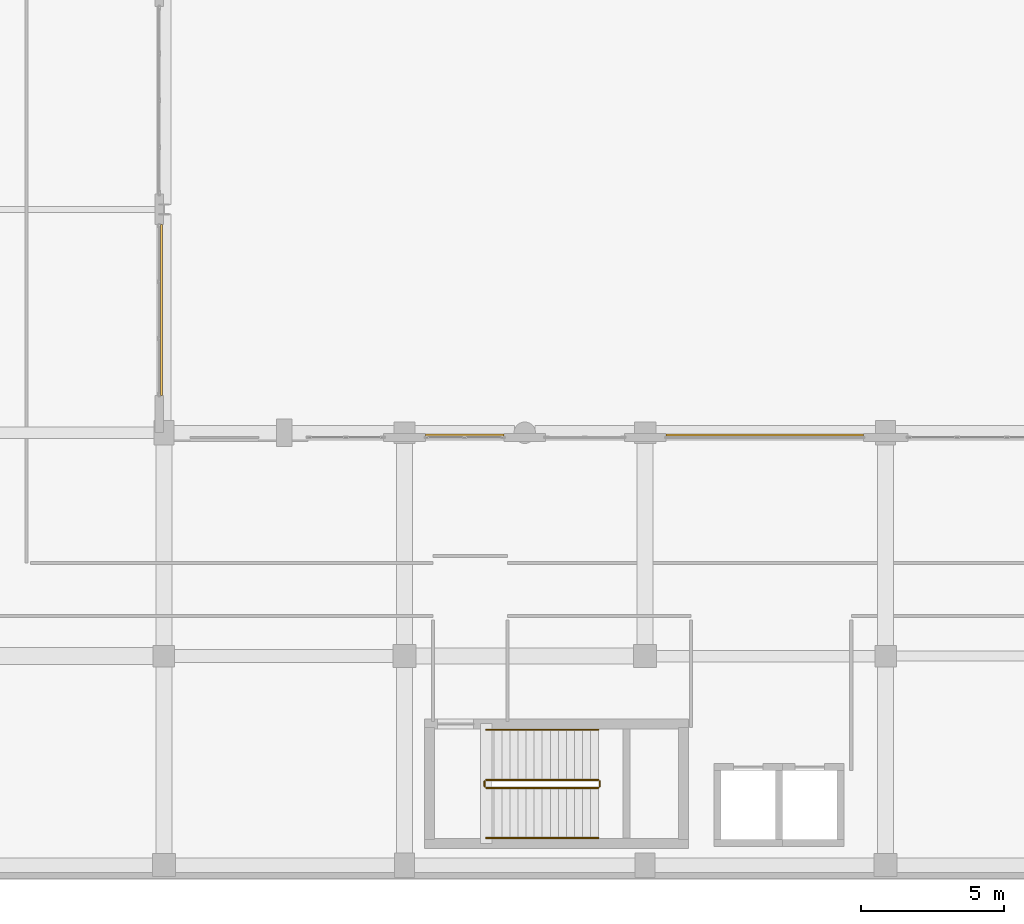
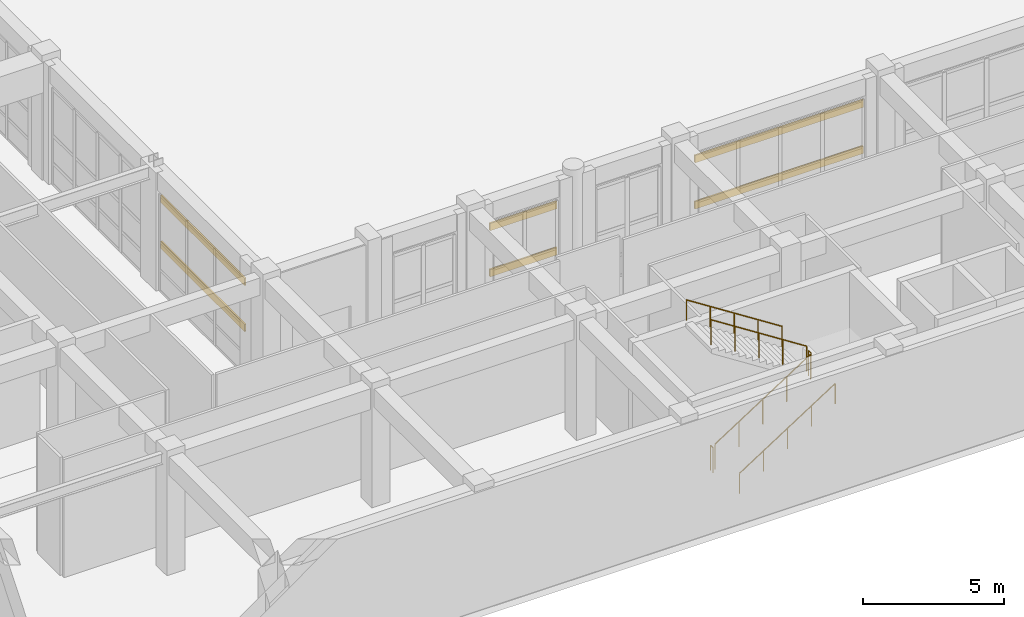
# One storey, part 137 of 148: 6 railings, 6 shading devices.
"""IFC4 building model written with IfcOpenShell, lengths in metres."""

import ifcopenshell
import ifcopenshell.guid

model = None  # the IFC model being written
_history = None  # IfcOwnerHistory: only IFC2X3 demands one
_inside = {}  # id of a spatial element -> (the spatial element, [elements in it])
_under = {}  # id of a project, library or spatial element -> (it, [spatial elements below it])
_declared = {}  # id of a project -> (the project, [libraries it declares])
_typed = {}  # id of a type object -> (the type object, [elements of that type])
_made_of = {}  # id of a material, layer set ... -> (it, [elements and type objects made of it])


def new_model(schema):
    """Start an empty IFC model of exactly this schema.

    Asked for "IFC4X3", IfcOpenShell would pick the latest addendum, in which some entities
    have other attributes; the version numbers below select the first issue.
    IFC2X3 requires an IfcOwnerHistory on every rooted entity: one is made here for all.
    """
    global model, _history
    if schema == "IFC4X3":
        model = ifcopenshell.file(schema_version=(4, 3, 0, 0))
    else:
        model = ifcopenshell.file(schema=schema)
    _inside.clear()
    _under.clear()
    _declared.clear()
    _typed.clear()
    _made_of.clear()
    _history = None
    if model.schema == "IFC2X3":
        org = make("IfcOrganization", Name="unknown")
        user = make(
            "IfcPersonAndOrganization",
            ThePerson=make("IfcPerson", FamilyName="unknown"),
            TheOrganization=org,
        )
        app = make(
            "IfcApplication",
            ApplicationDeveloper=org,
            Version="unknown",
            ApplicationFullName="unknown",
            ApplicationIdentifier="unknown",
        )
        _history = make(
            "IfcOwnerHistory",
            OwningUser=user,
            OwningApplication=app,
            ChangeAction="ADDED",
            CreationDate=0,
        )
    return model


def make(cls, **values):
    """One entity of the class cls with the attributes given. An attribute that is None is left unset."""
    return model.create_entity(
        cls, **{name: value for name, value in values.items() if value is not None}
    )


def rooted(cls, **values):
    """An entity with a GlobalId (a new one), such as an element, a storey or a relation."""
    return make(cls, GlobalId=ifcopenshell.guid.new(), OwnerHistory=_history, **values)


def si_unit(unit_type, name, prefix=None):
    """IfcSIUnit, for example si_unit("LENGTHUNIT", "METRE", prefix="MILLI")."""
    return make("IfcSIUnit", UnitType=unit_type, Prefix=prefix, Name=name)


def assignment(units):
    """IfcUnitAssignment: the units of a project."""
    return None if units is None else make("IfcUnitAssignment", Units=units)


def point(xyz):
    """IfcCartesianPoint."""
    return None if xyz is None else make("IfcCartesianPoint", Coordinates=xyz)


def direction(xyz):
    """IfcDirection."""
    return None if xyz is None else make("IfcDirection", DirectionRatios=xyz)


def frame(location, z_axis=None, x_axis=None):
    """IfcAxis2Placement3D, a coordinate frame: its origin and axes. An axis left out is left unset."""
    return make(
        "IfcAxis2Placement3D",
        Location=point(location),
        Axis=direction(z_axis),
        RefDirection=direction(x_axis),
    )


def frame_2d(location, x_axis=None):
    """IfcAxis2Placement2D, a coordinate frame in the plane: its origin and x axis."""
    return make(
        "IfcAxis2Placement2D", Location=point(location), RefDirection=direction(x_axis)
    )


def origin():
    """The frame at (0, 0, 0) with its axes left unset."""
    return frame((0.0, 0.0, 0.0))


def origin_2d():
    """The frame at (0, 0) in the plane with its x axis left unset."""
    return frame_2d((0.0, 0.0))


def place(relative_to, where):
    """IfcLocalPlacement: puts the frame where relative to a parent placement (None: the world)."""
    return make(
        "IfcLocalPlacement", PlacementRelTo=relative_to, RelativePlacement=where
    )


def context(
    kind, dimensions, precision=None, world=None, true_north=None, identifier=None
):
    """IfcGeometricRepresentationContext, for example the 3D "Model" context."""
    return make(
        "IfcGeometricRepresentationContext",
        ContextIdentifier=identifier,
        ContextType=kind,
        CoordinateSpaceDimension=dimensions,
        Precision=precision,
        WorldCoordinateSystem=world,
        TrueNorth=true_north,
    )


def subcontext(parent, identifier, kind, view, scale=None):
    """IfcGeometricRepresentationSubContext, for example "Body" below "Model"."""
    return make(
        "IfcGeometricRepresentationSubContext",
        ContextIdentifier=identifier,
        ContextType=kind,
        ParentContext=parent,
        TargetScale=scale,
        TargetView=view,
    )


def project(units=None, contexts=None):
    """IfcProject with its units and contexts."""
    return rooted(
        "IfcProject",
        Name="project",
        RepresentationContexts=contexts,
        UnitsInContext=assignment(units),
    )


def spatial(cls, under=None, at=None, **own):
    """A site, building, storey or space (cls), placed at a placement, below another one or the project."""
    s = rooted(cls, ObjectPlacement=at, **own)
    if under is not None:
        _under.setdefault(under.id(), (under, []))[1].append(s)
    return s


def profile(cls, at=None, kind="AREA", **sizes):
    """A parametric profile (cls). Its sizes go by their IFC names, for example OverallWidth=200.0."""
    return make(cls, ProfileType=kind, Position=at, **sizes)


def hollow_rectangle(**sizes):
    """IfcRectangleHollowProfileDef."""
    return profile("IfcRectangleHollowProfileDef", **sizes)


def circle(**sizes):
    """IfcCircleProfileDef."""
    return profile("IfcCircleProfileDef", **sizes)


def extrude(swept, where, along, depth):
    """IfcExtrudedAreaSolid: the profile swept, set in the frame where, extruded along a direction by depth."""
    return make(
        "IfcExtrudedAreaSolid",
        SweptArea=swept,
        Position=where,
        ExtrudedDirection=direction(along),
        Depth=depth,
    )


def shape(context_of_items, identifier, shape_type, items):
    """IfcShapeRepresentation: the items that make up one representation, for example the "Body"."""
    return make(
        "IfcShapeRepresentation",
        ContextOfItems=context_of_items,
        RepresentationIdentifier=identifier,
        RepresentationType=shape_type,
        Items=items,
    )


def material(Name=None, Category=None):
    """IfcMaterial."""
    return make("IfcMaterial", Name=Name, Category=Category)


def material_profile(
    of_material, cross_section, Name=None, Category=None, Priority=None
):
    """IfcMaterialProfile: a cross section and its material."""
    return make(
        "IfcMaterialProfile",
        Name=Name,
        Material=of_material,
        Profile=cross_section,
        Priority=Priority,
        Category=Category,
    )


def profile_set(profiles, Name=None, composite=None):
    """IfcMaterialProfileSet."""
    return make(
        "IfcMaterialProfileSet",
        Name=Name,
        MaterialProfiles=profiles,
        CompositeProfile=composite,
    )


def made_of(thing, what):
    """Note that an element or type object is made of a material, layer set ...; save() writes the relation."""
    if what is not None:
        _made_of.setdefault(what.id(), (what, []))[1].append(thing)
    return thing


def type_object(cls, material=None, **own):
    """A type object (cls), such as IfcWallType, which elements share."""
    return made_of(rooted(cls, **own), material)


def element(
    cls,
    number,
    at=None,
    inside=None,
    cuts=None,
    type_object=None,
    material=None,
    context=None,
    identifier="Body",
    shape_type=None,
    held_by="IfcProductDefinitionShape",
    body=None,
    shapes=None,
    **own,
):
    """One element of the class cls, such as IfcWall. Its Tag is "e" and its number.

    at: its placement. inside: the storey or other place that contains it. cuts: it is an
    opening in that element (IfcRelVoidsElement). A single representation is given by context,
    identifier, shape_type and body (its items); several are given by shapes. held_by: the class
    of the entity that holds the representations. save() writes the other relations.
    """
    e = rooted(cls, Tag="e%d" % number, ObjectPlacement=at, **own)
    if body is not None:
        shapes = [shape(context, identifier, shape_type, body)]
    if shapes is not None:
        e.Representation = make(held_by, Representations=shapes)
    if inside is not None:
        _inside.setdefault(inside.id(), (inside, []))[1].append(e)
    if cuts is not None:
        rooted(
            "IfcRelVoidsElement", RelatingBuildingElement=cuts, RelatedOpeningElement=e
        )
    if type_object is not None:
        _typed.setdefault(type_object.id(), (type_object, []))[1].append(e)
    return made_of(e, material)


def aggregate(whole, parts):
    """IfcRelAggregates: a whole, such as a stair, and the parts it consists of."""
    return rooted("IfcRelAggregates", RelatingObject=whole, RelatedObjects=parts)


def save(model, path):
    """Write the relations noted so far, then the file.

    IfcRelAggregates (storeys below a building ...), IfcRelContainedInSpatialStructure (elements
    in a storey), IfcRelDefinesByType, IfcRelAssociatesMaterial and IfcRelDeclares: one each for
    every whole, place, type object, material and project.
    """
    for whole, parts in _under.values():
        aggregate(whole, parts)
    for where, things in _inside.values():
        rooted(
            "IfcRelContainedInSpatialStructure",
            RelatedElements=things,
            RelatingStructure=where,
        )
    for kind, things in _typed.values():
        rooted("IfcRelDefinesByType", RelatedObjects=things, RelatingType=kind)
    for what, things in _made_of.values():
        rooted("IfcRelAssociatesMaterial", RelatedObjects=things, RelatingMaterial=what)
    for by, libraries in _declared.values():
        rooted("IfcRelDeclares", RelatingContext=by, RelatedDefinitions=libraries)
    model.write(path)


model = new_model("IFC4")

# Units and contexts
model_context = context("Model", 3, precision=1e-05, world=origin(), true_north=direction((0.0, 1.0)))
body_context = subcontext(model_context, "Body", "Model", "MODEL_VIEW")
ifc_project = project(units=[si_unit("LENGTHUNIT", "METRE"), si_unit("AREAUNIT", "SQUARE_METRE"), si_unit("VOLUMEUNIT", "CUBIC_METRE"), si_unit("PLANEANGLEUNIT", "RADIAN"), si_unit("MASSUNIT", "GRAM", prefix="KILO")], contexts=[model_context])

# Site, building, storey
site_placement = place(None, origin())
site = spatial("IfcSite", under=ifc_project, at=site_placement, CompositionType="ELEMENT")
building_placement = place(site_placement, origin())
building = spatial("IfcBuilding", under=site, at=building_placement, Name="Quendrovan Civic Courthouse", CompositionType="ELEMENT")
storey_placement = place(building_placement, origin())
storey = spatial("IfcBuildingStorey", under=building, at=storey_placement, Name="L01", CompositionType="ELEMENT", Elevation=0.0)

# Railings
ifc_material_1 = material(Name="Painted galvanized steel", Category="steel")
railing_type_1 = type_object("IfcRailingType", Name="RL-STR-GUARD1100", PredefinedType="GUARDRAIL", material=ifc_material_1)
railing_1_placement = place(storey_placement, frame((28.050048828125, 3.199951171875, 0.179931640625)))
element("IfcRailing", 1, at=railing_1_placement, inside=storey, type_object=railing_type_1, Name="L01 ST5 stair guard 1", PredefinedType="GUARDRAIL", context=body_context, shape_type="SweptSolid", body=[
    extrude(circle(Radius=0.02392578125, at=origin_2d()), frame((0.0, 0.0, 1.076171875), z_axis=(0.841171666519, 0.0, 0.540768182723), x_axis=(0.0, 1.0, 0.0)), (0.0, 0.0, 1.0), 4.66015625),
    extrude(circle(Radius=0.02099609375, at=origin_2d()), origin(), (0.0, 0.0, 1.0), 1.052001953125),
    extrude(circle(Radius=0.02099609375, at=origin_2d()), frame((0.97998046875, 0.0, 0.6298828125)), (0.0, 0.0, 1.0), 1.052001953125),
    extrude(circle(Radius=0.02099609375, at=origin_2d()), frame((1.9599609375, 0.0, 1.260009765625)), (0.0, 0.0, 1.0), 1.052001953125),
    extrude(circle(Radius=0.02099609375, at=origin_2d()), frame((2.93994140625, 0.0, 1.89013671875)), (0.0, 0.0, 1.0), 1.052001953125),
    extrude(circle(Radius=0.02099609375, at=origin_2d()), frame((3.919921875, 0.0, 2.52001953125)), (0.0, 0.0, 1.0), 1.052001953125),
])
railing_2_placement = place(storey_placement, frame((32.02001953125, 3.25, 2.699951171875)))
element("IfcRailing", 2, at=railing_2_placement, inside=storey, type_object=railing_type_1, Name="L01 ST5 stair guard 2", PredefinedType="GUARDRAIL", context=body_context, shape_type="SweptSolid", body=[
    extrude(circle(Radius=0.02392578125, at=origin_2d()), frame((0.0, 0.0, 1.076171875), z_axis=(0.0, 1.0, 0.0), x_axis=(-1.0, 0.0, 0.0)), (0.0, 0.0, 1.0), 0.179931640625),
    extrude(circle(Radius=0.02099609375, at=origin_2d()), origin(), (0.0, 0.0, 1.0), 1.052001953125),
    extrude(circle(Radius=0.02099609375, at=origin_2d()), frame((0.0, 0.179931640625, 0.0)), (0.0, 0.0, 1.0), 1.052001953125),
])
railing_3_placement = place(storey_placement, frame((31.969970703125, 3.47998046875, 2.8798828125)))
element("IfcRailing", 3, at=railing_3_placement, inside=storey, type_object=railing_type_1, Name="L01 ST5 stair guard 3", PredefinedType="GUARDRAIL", context=body_context, shape_type="SweptSolid", body=[
    extrude(circle(Radius=0.02392578125, at=origin_2d()), frame((0.0, 0.0, 1.076171875), z_axis=(-0.841171666519, 0.0, 0.540768182723), x_axis=(0.0, -1.0, 0.0)), (0.0, 0.0, 1.0), 4.66015625),
    extrude(circle(Radius=0.02099609375, at=origin_2d()), origin(), (0.0, 0.0, 1.0), 1.052001953125),
    extrude(circle(Radius=0.02099609375, at=origin_2d()), frame((-0.97998046875, 0.0, 0.6298828125)), (0.0, 0.0, 1.0), 1.052001953125),
    extrude(circle(Radius=0.02099609375, at=origin_2d()), frame((-1.9599609375, 0.0, 1.260009765625)), (0.0, 0.0, 1.0), 1.052001953125),
    extrude(circle(Radius=0.02099609375, at=origin_2d()), frame((-2.93994140625, 0.0, 1.89013671875)), (0.0, 0.0, 1.0), 1.052001953125),
    extrude(circle(Radius=0.02099609375, at=origin_2d()), frame((-3.919921875, 0.0, 2.52001953125)), (0.0, 0.0, 1.0), 1.052001953125),
])
railing_4_placement = place(storey_placement, frame((28.0, 3.25, 0.0)))
element("IfcRailing", 4, at=railing_4_placement, inside=storey, type_object=railing_type_1, Name="L01 ST5 stair guard 4", PredefinedType="GUARDRAIL", context=body_context, shape_type="SweptSolid", body=[
    extrude(circle(Radius=0.02392578125, at=origin_2d()), frame((0.0, 0.0, 1.076171875), z_axis=(0.0, 1.0, 0.0), x_axis=(-1.0, 0.0, 0.0)), (0.0, 0.0, 1.0), 0.179931640625),
    extrude(circle(Radius=0.02099609375, at=origin_2d()), origin(), (0.0, 0.0, 1.0), 1.052001953125),
    extrude(circle(Radius=0.02099609375, at=origin_2d()), frame((0.0, 0.179931640625, 0.0)), (0.0, 0.0, 1.0), 1.052001953125),
])
ifc_material_2 = material(Name="Bronze anodised aluminium", Category="aluminium")
railing_type_2 = type_object("IfcRailingType", Name="RL-STR-HAND900", PredefinedType="HANDRAIL", material=ifc_material_2)
railing_5_placement = place(storey_placement, frame((28.050048828125, 1.449951171875, 0.179931640625)))
element("IfcRailing", 5, at=railing_5_placement, inside=storey, type_object=railing_type_2, Name="L01 ST5 stair handrail 1", PredefinedType="HANDRAIL", context=body_context, shape_type="SweptSolid", body=[
    extrude(circle(Radius=0.02392578125, at=origin_2d()), frame((0.0, 0.0, 0.8759765625), z_axis=(0.841171666519, 0.0, 0.540768182723), x_axis=(0.0, 1.0, 0.0)), (0.0, 0.0, 1.0), 4.66015625),
    extrude(circle(Radius=0.02099609375, at=origin_2d()), origin(), (0.0, 0.0, 1.0), 0.851806640625),
    extrude(circle(Radius=0.02099609375, at=origin_2d()), frame((0.97998046875, 0.0, 0.6298828125)), (0.0, 0.0, 1.0), 0.851806640625),
    extrude(circle(Radius=0.02099609375, at=origin_2d()), frame((1.9599609375, 0.0, 1.260009765625)), (0.0, 0.0, 1.0), 0.851806640625),
    extrude(circle(Radius=0.02099609375, at=origin_2d()), frame((2.93994140625, 0.0, 1.89013671875)), (0.0, 0.0, 1.0), 0.851806640625),
    extrude(circle(Radius=0.02099609375, at=origin_2d()), frame((3.919921875, 0.0, 2.52001953125)), (0.0, 0.0, 1.0), 0.851806640625),
])
railing_6_placement = place(storey_placement, frame((31.969970703125, 5.22998046875, 2.8798828125)))
element("IfcRailing", 6, at=railing_6_placement, inside=storey, type_object=railing_type_2, Name="L01 ST5 stair handrail 2", PredefinedType="HANDRAIL", context=body_context, shape_type="SweptSolid", body=[
    extrude(circle(Radius=0.02392578125, at=origin_2d()), frame((0.0, 0.0, 0.8759765625), z_axis=(-0.841171666519, 0.0, 0.540768182723), x_axis=(0.0, -1.0, 0.0)), (0.0, 0.0, 1.0), 4.66015625),
    extrude(circle(Radius=0.02099609375, at=origin_2d()), origin(), (0.0, 0.0, 1.0), 0.851806640625),
    extrude(circle(Radius=0.02099609375, at=origin_2d()), frame((-0.97998046875, 0.0, 0.6298828125)), (0.0, 0.0, 1.0), 0.851806640625),
    extrude(circle(Radius=0.02099609375, at=origin_2d()), frame((-1.9599609375, 0.0, 1.260009765625)), (0.0, 0.0, 1.0), 0.851806640625),
    extrude(circle(Radius=0.02099609375, at=origin_2d()), frame((-2.93994140625, 0.0, 1.89013671875)), (0.0, 0.0, 1.0), 0.851806640625),
    extrude(circle(Radius=0.02099609375, at=origin_2d()), frame((-3.919921875, 0.0, 2.52001953125)), (0.0, 0.0, 1.0), 0.851806640625),
])

# Shading devices
ifc_material_profile = material_profile(ifc_material_2, hollow_rectangle(XDim=0.06494140625, YDim=0.320068359375, WallThickness=0.0048828125, at=origin_2d()), Name="AL-LOUVRE-65x320")
ifc_profile_set = profile_set([ifc_material_profile], Name="Bronze anodised aluminium")
shading_device_type = type_object("IfcShadingDeviceType", Name="SHD-STORM-LOUVRE", PredefinedType="JALOUSIE", material=ifc_profile_set)
for number, where, z_axis, x_axis, name in (
    (7, (16.715087890625, 22.863037109375, 1.949951171875), (0.0, -1.0, 0.0), (1.0, 0.0, 0.0), "L01 Bronze Hurricane Storm Louvre SLV-003"),
    (8, (16.715087890625, 22.863037109375, 3.949951171875), (0.0, -1.0, 0.0), (1.0, 0.0, 0.0), "L01 Bronze Hurricane Storm Louvre SLV-004"),
):
    element("IfcShadingDevice", number, at=place(storey_placement, frame(where, z_axis=z_axis, x_axis=x_axis)), inside=storey, type_object=shading_device_type, Name=name, PredefinedType="JALOUSIE", context=body_context, shape_type="SweptSolid", body=[
        extrude(hollow_rectangle(XDim=0.06494140625, YDim=0.320068359375, WallThickness=0.0048828125, at=origin_2d()), origin(), (0.0, 0.0, 1.0), 5.963134765625),
    ])
for number, where, z_axis, x_axis, name in (
    (9, (25.925048828125, 15.514892578125, 1.949951171875), (1.0, 0.0, 0.0), (0.0, 1.0, 0.0), "L01 Bronze Hurricane Storm Louvre SLV-005"),
    (10, (25.925048828125, 15.514892578125, 3.949951171875), (1.0, 0.0, 0.0), (0.0, 1.0, 0.0), "L01 Bronze Hurricane Storm Louvre SLV-006"),
):
    element("IfcShadingDevice", number, at=place(storey_placement, frame(where, z_axis=z_axis, x_axis=x_axis)), inside=storey, type_object=shading_device_type, Name=name, PredefinedType="JALOUSIE", context=body_context, shape_type="SweptSolid", body=[
        extrude(hollow_rectangle(XDim=0.06494140625, YDim=0.320068359375, WallThickness=0.0048828125, at=origin_2d()), origin(), (0.0, 0.0, 1.0), 2.75),
    ])
for number, where, z_axis, x_axis, name in (
    (11, (34.324951171875, 15.514892578125, 1.949951171875), (1.0, 0.0, 0.0), (0.0, 1.0, 0.0), "L01 Bronze Hurricane Storm Louvre SLV-007"),
    (12, (34.324951171875, 15.514892578125, 3.949951171875), (1.0, 0.0, 0.0), (0.0, 1.0, 0.0), "L01 Bronze Hurricane Storm Louvre SLV-008"),
):
    element("IfcShadingDevice", number, at=place(storey_placement, frame(where, z_axis=z_axis, x_axis=x_axis)), inside=storey, type_object=shading_device_type, Name=name, PredefinedType="JALOUSIE", context=body_context, shape_type="SweptSolid", body=[
        extrude(hollow_rectangle(XDim=0.06494140625, YDim=0.320068359375, WallThickness=0.0048828125, at=origin_2d()), origin(), (0.0, 0.0, 1.0), 6.900146484375),
    ])

save(model, "model.ifc")
